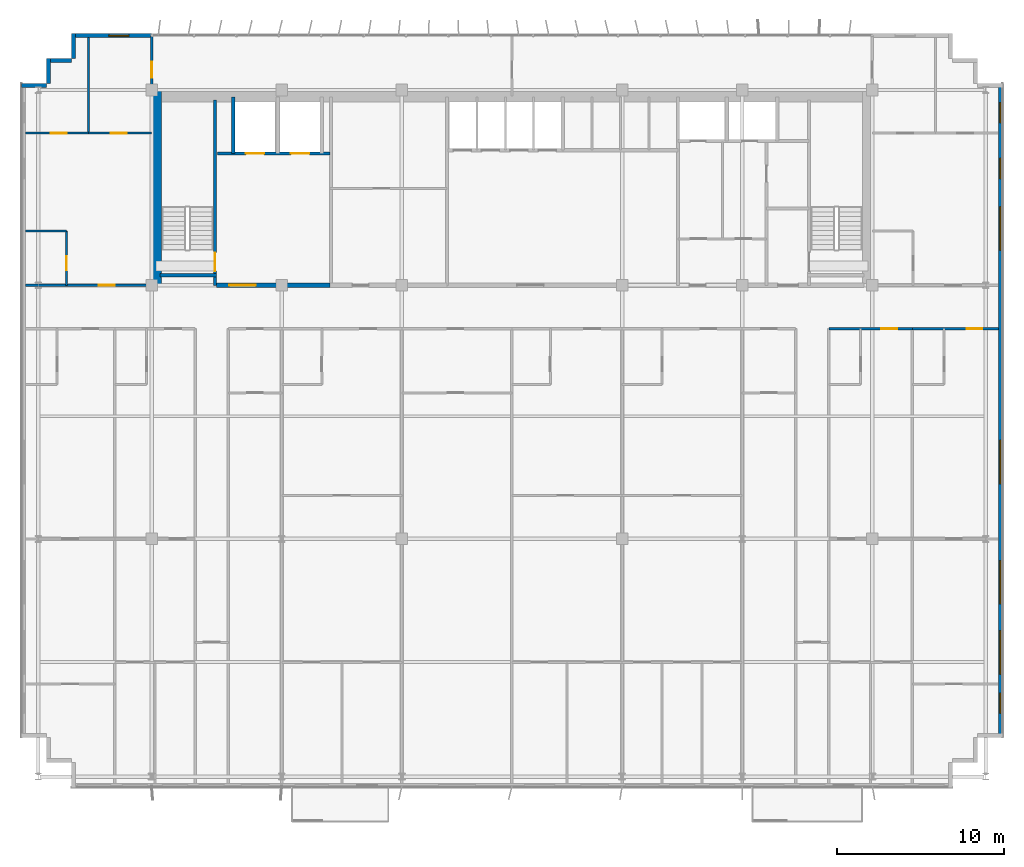
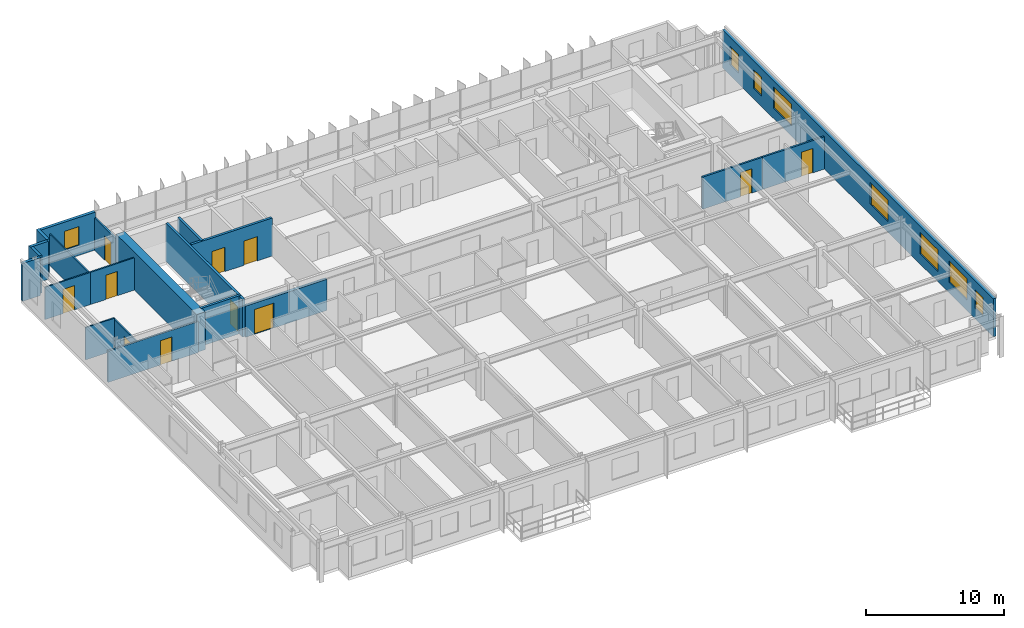
# One storey, part 18 of 22: 21 walls, 11 doors, 8 windows, 19 openings.
"""IFC4 building model written with IfcOpenShell, lengths in metres."""

from ifc_helpers import new_model, si_unit, direction, frame, frame_2d, origin, place, context, subcontext, project, spatial, rectangle, extrude, source, transform, mapped, material, layer, layer_set, type_object, element, fill, save


model = new_model("IFC4")

# Units and contexts
model_context = context("Model", 3, precision=1e-05, world=origin(), true_north=direction((0.0, 1.0)))
body_context = subcontext(model_context, "Body", "Model", "MODEL_VIEW")
ifc_project = project(units=[si_unit("LENGTHUNIT", "METRE"), si_unit("AREAUNIT", "SQUARE_METRE"), si_unit("VOLUMEUNIT", "CUBIC_METRE"), si_unit("PLANEANGLEUNIT", "RADIAN"), si_unit("MASSUNIT", "GRAM", prefix="KILO")], contexts=[model_context])

# Site, building, storey
site_placement = place(None, origin())
site = spatial("IfcSite", under=ifc_project, at=site_placement, CompositionType="ELEMENT")
building_placement = place(site_placement, origin())
building = spatial("IfcBuilding", under=site, at=building_placement, Name="Trelvane Seafront Commons", CompositionType="ELEMENT")
storey_placement = place(building_placement, frame((0.0, 0.0, 139.300048828125)))
storey = spatial("IfcBuildingStorey", under=building, at=storey_placement, Name="L36", CompositionType="ELEMENT", Elevation=139.300048828125)

# Wall, opening, window
ifc_material_1 = material(Name="Precast concrete C40/50", Category="concrete")
ifc_layer_1 = layer(ifc_material_1, 0.239990234375, Name="ARCH-WALL-EXT240")
ifc_layer_set_1 = layer_set([ifc_layer_1], Name="Precast concrete C40/50")
wall_type_1 = type_object("IfcWallType", Name="ARCH-WALL-EXT240", PredefinedType="SOLIDWALL", material=ifc_layer_set_1)
wall_1_placement = place(storey_placement, frame((10.89990234375, 48.3701171875, 0.0), z_axis=(0.0, 0.0, 1.0), x_axis=(1.0, 0.0, 0.0)))
wall_1 = element("IfcWall", 1, at=wall_1_placement, inside=storey, type_object=wall_type_1, Name="EW-L36-NW-0695", PredefinedType="SOLIDWALL", context=body_context, shape_type="SweptSolid", body=[
    extrude(rectangle(XDim=4.7001953125, YDim=0.239990234375, at=frame_2d((2.35009765625, 0.0))), origin(), (0.0, 0.0, 1.0), 3.349853515625),
])
opening_1_placement = place(wall_1_placement, frame((2.132080078125, 0.0, 0.89990234375)))
opening_1 = element("IfcOpeningElement", 2, at=opening_1_placement, cuts=wall_1, Name="Opening W05", PredefinedType="OPENING", context=body_context, shape_type="SweptSolid", body=[
    extrude(rectangle(XDim=1.199951171875, YDim=1.64990234375, at=frame_2d((0.60009765625, 0.824951171875))), frame((0.0, 0.1298828125, 0.0), z_axis=(0.0, -1.0, 0.0), x_axis=(1.0, 0.0, 0.0)), (0.0, 0.0, 1.0), 0.260009765625),
])
ifc_material_2 = material(Name="Low-E coastal double glazing", Category="glass")
window_type_1 = type_object("IfcWindowType", Name="ARCH-WIN-W05", PartitioningType="SINGLE_PANEL", PredefinedType="WINDOW", material=ifc_material_2)
shared_shape_1 = source(origin(), body_context, "Body", "SweptSolid", [
    extrude(rectangle(XDim=1.199951171875, YDim=1.64990234375, at=frame_2d((0.60009765625, 0.824951171875))), frame((0.0, 0.030029296875, 0.0), z_axis=(0.0, -1.0, 0.0), x_axis=(1.0, 0.0, 0.0)), (0.0, 0.0, 1.0), 0.06005859375),
])
window_1_placement = place(opening_1_placement, origin())
window_1 = element("IfcWindow", 3, at=window_1_placement, inside=storey, type_object=window_type_1, Name="WIN-L36-00819", OverallHeight=1.64990234375, OverallWidth=1.199951171875, PartitioningType="SINGLE_PANEL", PredefinedType="WINDOW", context=body_context, shape_type="MappedRepresentation", body=[
    mapped(shared_shape_1, transform((0.0, 0.0, 0.0), x_axis=(1.0, 0.0, 0.0), y_axis=(0.0, 1.0, 0.0), z_axis=(0.0, 0.0, 1.0), scale=1.0)),
])
fill(opening_1, window_1)

# Walls
for number, where, z_axis, x_axis, name in (
    (4, (7.800048828125, 45.3798828125, 0.0), (0.0, 0.0, 1.0), (1.0, 0.0, 0.0), "EW-L36-00701"),
    (5, (9.419921875, 45.5, 0.0), (0.0, 0.0, 1.0), (0.0, 1.0, 0.0), "EW-L36-00702"),
    (6, (9.300048828125, 46.8798828125, 0.0), (0.0, 0.0, 1.0), (1.0, 0.0, 0.0), "EW-L36-00703"),
    (7, (10.919921875, 47.0, 0.0), (0.0, 0.0, 1.0), (0.0, 1.0, 0.0), "EW-L36-00704"),
):
    element("IfcWall", number, at=place(storey_placement, frame(where, z_axis=z_axis, x_axis=x_axis)), inside=storey, type_object=wall_type_1, Name=name, PredefinedType="SOLIDWALL", context=body_context, shape_type="SweptSolid", body=[
        extrude(rectangle(XDim=1.5, YDim=0.239990234375, at=frame_2d((0.75, 0.0))), origin(), (0.0, 0.0, 1.0), 3.349853515625),
    ])

# Wall, openings, windows
wall_2_placement = place(storey_placement, frame((66.47998046875, 45.5, 0.0), z_axis=(0.0, 0.0, 1.0), x_axis=(0.0, -1.0, 0.0)))
wall_2 = element("IfcWall", 8, at=wall_2_placement, inside=storey, type_object=wall_type_1, Name="EW-L36-00709", PredefinedType="SOLIDWALL", context=body_context, shape_type="SweptSolid", body=[
    extrude(rectangle(XDim=39.199951171875, YDim=0.239990234375, at=frame_2d((19.60009765625, 0.0))), origin(), (0.0, 0.0, 1.0), 3.349853515625),
])
opening_2_placement = place(wall_2_placement, frame((36.550048828125, 0.0, 0.919921875)))
opening_2 = element("IfcOpeningElement", 9, at=opening_2_placement, cuts=wall_2, Name="Opening W05", PredefinedType="OPENING", context=body_context, shape_type="SweptSolid", body=[
    extrude(rectangle(XDim=1.199951171875, YDim=1.64990234375, at=frame_2d((0.60009765625, 0.824951171875))), frame((0.0, 0.1298828125, 0.0), z_axis=(0.0, -1.0, 0.0), x_axis=(1.0, 0.0, 0.0)), (0.0, 0.0, 1.0), 0.260009765625),
])
opening_3_placement = place(wall_2_placement, frame((32.800048828125, 0.0, 0.919921875)))
opening_3 = element("IfcOpeningElement", 10, at=opening_3_placement, cuts=wall_2, Name="Opening W04", PredefinedType="OPENING", context=body_context, shape_type="SweptSolid", body=[
    extrude(rectangle(XDim=2.60009765625, YDim=1.89990234375, at=frame_2d((1.300048828125, 0.949951171875))), frame((0.0, 0.1298828125, 0.0), z_axis=(0.0, -1.0, 0.0), x_axis=(1.0, 0.0, 0.0)), (0.0, 0.0, 1.0), 0.260009765625),
])
opening_4_placement = place(wall_2_placement, frame((28.60009765625, 0.0, 0.919921875)))
opening_4 = element("IfcOpeningElement", 11, at=opening_4_placement, cuts=wall_2, Name="Opening W04", PredefinedType="OPENING", context=body_context, shape_type="SweptSolid", body=[
    extrude(rectangle(XDim=2.60009765625, YDim=1.89990234375, at=frame_2d((1.300048828125, 0.949951171875))), frame((0.0, 0.1298828125, 0.0), z_axis=(0.0, -1.0, 0.0), x_axis=(1.0, 0.0, 0.0)), (0.0, 0.0, 1.0), 0.260009765625),
])
opening_5_placement = place(wall_2_placement, frame((21.39990234375, 0.0, 0.919921875)))
opening_5 = element("IfcOpeningElement", 12, at=opening_5_placement, cuts=wall_2, Name="Opening W04", PredefinedType="OPENING", context=body_context, shape_type="SweptSolid", body=[
    extrude(rectangle(XDim=2.60009765625, YDim=1.89990234375, at=frame_2d((1.300048828125, 0.949951171875))), frame((0.0, 0.1298828125, 0.0), z_axis=(0.0, -1.0, 0.0), x_axis=(1.0, 0.0, 0.0)), (0.0, 0.0, 1.0), 0.260009765625),
])
opening_6_placement = place(wall_2_placement, frame((7.39990234375, 0.0, 0.919921875)))
opening_6 = element("IfcOpeningElement", 13, at=opening_6_placement, cuts=wall_2, Name="Opening W04", PredefinedType="OPENING", context=body_context, shape_type="SweptSolid", body=[
    extrude(rectangle(XDim=2.60009765625, YDim=1.89990234375, at=frame_2d((1.300048828125, 0.949951171875))), frame((0.0, 0.1298828125, 0.0), z_axis=(0.0, -1.0, 0.0), x_axis=(1.0, 0.0, 0.0)), (0.0, 0.0, 1.0), 0.260009765625),
])
opening_7_placement = place(wall_2_placement, frame((4.5, 0.0, 0.919921875)))
opening_7 = element("IfcOpeningElement", 14, at=opening_7_placement, cuts=wall_2, Name="Opening W05", PredefinedType="OPENING", context=body_context, shape_type="SweptSolid", body=[
    extrude(rectangle(XDim=1.199951171875, YDim=1.64990234375, at=frame_2d((0.60009765625, 0.824951171875))), frame((0.0, 0.1298828125, 0.0), z_axis=(0.0, -1.0, 0.0), x_axis=(1.0, 0.0, 0.0)), (0.0, 0.0, 1.0), 0.260009765625),
])
opening_8_placement = place(wall_2_placement, frame((1.14990234375, 0.0, 0.919921875)))
opening_8 = element("IfcOpeningElement", 15, at=opening_8_placement, cuts=wall_2, Name="Opening W05", PredefinedType="OPENING", context=body_context, shape_type="SweptSolid", body=[
    extrude(rectangle(XDim=1.199951171875, YDim=1.64990234375, at=frame_2d((0.60009765625, 0.824951171875))), frame((0.0, 0.1298828125, 0.0), z_axis=(0.0, -1.0, 0.0), x_axis=(1.0, 0.0, 0.0)), (0.0, 0.0, 1.0), 0.260009765625),
])
window_type_2 = type_object("IfcWindowType", Name="ARCH-WIN-W04", PartitioningType="SINGLE_PANEL", PredefinedType="WINDOW", material=ifc_material_2)
shared_shape_2 = source(origin(), body_context, "Body", "SweptSolid", [
    extrude(rectangle(XDim=2.60009765625, YDim=1.89990234375, at=frame_2d((1.300048828125, 0.949951171875))), frame((0.0, 0.030029296875, 0.0), z_axis=(0.0, -1.0, 0.0), x_axis=(1.0, 0.0, 0.0)), (0.0, 0.0, 1.0), 0.06005859375),
])
window_2_placement = place(opening_3_placement, origin())
window_2 = element("IfcWindow", 16, at=window_2_placement, inside=storey, type_object=window_type_2, Name="WIN-L36-EW-00828", OverallHeight=1.89990234375, OverallWidth=2.60009765625, PartitioningType="SINGLE_PANEL", PredefinedType="WINDOW", context=body_context, shape_type="MappedRepresentation", body=[
    mapped(shared_shape_2, transform((0.0, 0.0, 0.0), x_axis=(1.0, 0.0, 0.0), y_axis=(0.0, 1.0, 0.0), z_axis=(0.0, 0.0, 1.0), scale=1.0)),
])
fill(opening_3, window_2)
window_3_placement = place(opening_4_placement, origin())
window_3 = element("IfcWindow", 17, at=window_3_placement, inside=storey, type_object=window_type_2, Name="WIN-L36-EW-00829", OverallHeight=1.89990234375, OverallWidth=2.60009765625, PartitioningType="SINGLE_PANEL", PredefinedType="WINDOW", context=body_context, shape_type="MappedRepresentation", body=[
    mapped(shared_shape_2, transform((0.0, 0.0, 0.0), x_axis=(1.0, 0.0, 0.0), y_axis=(0.0, 1.0, 0.0), z_axis=(0.0, 0.0, 1.0), scale=1.0)),
])
fill(opening_4, window_3)
window_4_placement = place(opening_5_placement, origin())
window_4 = element("IfcWindow", 18, at=window_4_placement, inside=storey, type_object=window_type_2, Name="WIN-L36-EW-00830", OverallHeight=1.89990234375, OverallWidth=2.60009765625, PartitioningType="SINGLE_PANEL", PredefinedType="WINDOW", context=body_context, shape_type="MappedRepresentation", body=[
    mapped(shared_shape_2, transform((0.0, 0.0, 0.0), x_axis=(1.0, 0.0, 0.0), y_axis=(0.0, 1.0, 0.0), z_axis=(0.0, 0.0, 1.0), scale=1.0)),
])
fill(opening_5, window_4)
window_5_placement = place(opening_6_placement, origin())
window_5 = element("IfcWindow", 19, at=window_5_placement, inside=storey, type_object=window_type_2, Name="WIN-L36-EW-00831", OverallHeight=1.89990234375, OverallWidth=2.60009765625, PartitioningType="SINGLE_PANEL", PredefinedType="WINDOW", context=body_context, shape_type="MappedRepresentation", body=[
    mapped(shared_shape_2, transform((0.0, 0.0, 0.0), x_axis=(1.0, 0.0, 0.0), y_axis=(0.0, 1.0, 0.0), z_axis=(0.0, 0.0, 1.0), scale=1.0)),
])
fill(opening_6, window_5)
window_6_placement = place(opening_2_placement, origin())
window_6 = element("IfcWindow", 20, at=window_6_placement, inside=storey, type_object=window_type_1, Name="WIN-L36-EW-00827", OverallHeight=1.64990234375, OverallWidth=1.199951171875, PartitioningType="SINGLE_PANEL", PredefinedType="WINDOW", context=body_context, shape_type="MappedRepresentation", body=[
    mapped(shared_shape_1, transform((0.0, 0.0, 0.0), x_axis=(1.0, 0.0, 0.0), y_axis=(0.0, 1.0, 0.0), z_axis=(0.0, 0.0, 1.0), scale=1.0)),
])
fill(opening_2, window_6)
window_7_placement = place(opening_7_placement, origin())
window_7 = element("IfcWindow", 21, at=window_7_placement, inside=storey, type_object=window_type_1, Name="WIN-L36-EW-00832", OverallHeight=1.64990234375, OverallWidth=1.199951171875, PartitioningType="SINGLE_PANEL", PredefinedType="WINDOW", context=body_context, shape_type="MappedRepresentation", body=[
    mapped(shared_shape_1, transform((0.0, 0.0, 0.0), x_axis=(1.0, 0.0, 0.0), y_axis=(0.0, 1.0, 0.0), z_axis=(0.0, 0.0, 1.0), scale=1.0)),
])
fill(opening_7, window_7)
window_8_placement = place(opening_8_placement, origin())
window_8 = element("IfcWindow", 22, at=window_8_placement, inside=storey, type_object=window_type_1, Name="WIN-L36-EW-00833", OverallHeight=1.64990234375, OverallWidth=1.199951171875, PartitioningType="SINGLE_PANEL", PredefinedType="WINDOW", context=body_context, shape_type="MappedRepresentation", body=[
    mapped(shared_shape_1, transform((0.0, 0.0, 0.0), x_axis=(1.0, 0.0, 0.0), y_axis=(0.0, 1.0, 0.0), z_axis=(0.0, 0.0, 1.0), scale=1.0)),
])
fill(opening_8, window_8)

# Wall, opening, door
ifc_material_3 = material(Name="Concrete C40/50", Category="concrete")
ifc_layer_2 = layer(ifc_material_3, 0.25, Name="ARCH-WALL-FIRE250")
ifc_layer_set_2 = layer_set([ifc_layer_2], Name="Concrete C40/50")
wall_type_2 = type_object("IfcWallType", Name="ARCH-WALL-FIRE250", PredefinedType="PARTITIONING", material=ifc_layer_set_2)
wall_3_placement = place(storey_placement, frame((19.5, 33.39990234375, 0.0), z_axis=(0.0, 0.0, 1.0), x_axis=(1.0, 0.0, 0.0)))
wall_3 = element("IfcWall", 23, at=wall_3_placement, inside=storey, type_object=wall_type_2, Name="W-L36-CS-FFL-013", PredefinedType="PARTITIONING", context=body_context, shape_type="SweptSolid", body=[
    extrude(rectangle(XDim=6.800048828125, YDim=0.25, at=frame_2d((3.39990234375, 0.0))), origin(), (0.0, 0.0, 1.0), 2.75),
])
opening_9_placement = place(wall_3_placement, frame((0.75, 0.0, 0.0)))
opening_9 = element("IfcOpeningElement", 24, at=opening_9_placement, cuts=wall_3, Name="Opening FD-L36-05", PredefinedType="OPENING", context=body_context, shape_type="SweptSolid", body=[
    extrude(rectangle(XDim=1.60009765625, YDim=2.199951171875, at=frame_2d((0.800048828125, 1.10009765625))), frame((0.0, 0.135009765625, 0.0), z_axis=(0.0, -1.0, 0.0), x_axis=(1.0, 0.0, 0.0)), (0.0, 0.0, 1.0), 0.27001953125),
])
ifc_material_4 = material(Name="Powder-coated aluminium frame", Category="aluminium")
door_type_1 = type_object("IfcDoorType", Name="ARCH-DR-FD60-1600", OperationType="DOUBLE_DOOR_SINGLE_SWING", PredefinedType="DOOR", material=ifc_material_4)
shared_shape_3 = source(origin(), body_context, "Body", "SweptSolid", [
    extrude(rectangle(XDim=1.60009765625, YDim=2.199951171875, at=frame_2d((0.800048828125, 1.10009765625))), frame((0.0, 0.02490234375, 0.0), z_axis=(0.0, -1.0, 0.0), x_axis=(1.0, 0.0, 0.0)), (0.0, 0.0, 1.0), 0.050048828125),
])
door_1_placement = place(opening_9_placement, origin())
door_1 = element("IfcDoor", 25, at=door_1_placement, inside=storey, type_object=door_type_1, Name="L36 Firefighting Lift Lobby Double Fire Door", OperationType="DOUBLE_DOOR_SINGLE_SWING", OverallHeight=2.199951171875, OverallWidth=1.60009765625, PredefinedType="DOOR", context=body_context, shape_type="MappedRepresentation", body=[
    mapped(shared_shape_3, transform((0.0, 0.0, 0.0), x_axis=(1.0, 0.0, 0.0), y_axis=(0.0, 1.0, 0.0), z_axis=(0.0, 0.0, 1.0), scale=1.0)),
])
fill(opening_9, door_1)

ifc_material_5 = material(Name="Gypsum Drywall Acoustic Partition")
ifc_layer_3 = layer(ifc_material_5, 0.1201171875, Name="ARCH-WALL-PART120")
ifc_layer_set_3 = layer_set([ifc_layer_3], Name="Gypsum Drywall Acoustic Partition")
wall_type_3 = type_object("IfcWallType", Name="ARCH-WALL-PART120", PredefinedType="PARTITIONING", material=ifc_layer_set_3)
wall_4_placement = place(storey_placement, frame((10.5, 33.39990234375, 0.0), z_axis=(0.0, 0.0, 1.0), x_axis=(0.0, 1.0, 0.0)))
wall_4 = element("IfcWall", 26, at=wall_4_placement, inside=storey, type_object=wall_type_3, Name="W-L36-NW-BE-036", PredefinedType="PARTITIONING", context=body_context, shape_type="SweptSolid", body=[
    extrude(rectangle(XDim=3.25, YDim=0.1201171875, at=frame_2d((1.625, 0.0))), origin(), (0.0, 0.0, 1.0), 2.75),
])
opening_10_placement = place(wall_4_placement, frame((0.89990234375, 0.0, 0.0)))
opening_10 = element("IfcOpeningElement", 27, at=opening_10_placement, cuts=wall_4, Name="Opening D-L36-20", PredefinedType="OPENING", context=body_context, shape_type="SweptSolid", body=[
    extrude(rectangle(XDim=0.85009765625, YDim=2.10009765625, at=frame_2d((0.425048828125, 1.050048828125))), frame((0.0, 0.070068359375, 0.0), z_axis=(0.0, -1.0, 0.0), x_axis=(1.0, 0.0, 0.0)), (0.0, 0.0, 1.0), 0.14013671875),
])
ifc_material_6 = material(Name="Acoustic timber door leaf", Category="wood")
door_type_2 = type_object("IfcDoorType", Name="ARCH-DR-INT850", OperationType="NOTDEFINED", PredefinedType="DOOR", material=ifc_material_6)
shared_shape_4 = source(origin(), body_context, "Body", "SweptSolid", [
    extrude(rectangle(XDim=0.85009765625, YDim=2.10009765625, at=frame_2d((0.425048828125, 1.050048828125))), frame((0.0, 0.02490234375, 0.0), z_axis=(0.0, -1.0, 0.0), x_axis=(1.0, 0.0, 0.0)), (0.0, 0.0, 1.0), 0.050048828125),
])
door_2_placement = place(opening_10_placement, origin())
door_2 = element("IfcDoor", 28, at=door_2_placement, inside=storey, type_object=door_type_2, Name="L36 Door 20", OperationType="SINGLE_SWING_RIGHT", OverallHeight=2.10009765625, OverallWidth=0.85009765625, PredefinedType="DOOR", context=body_context, shape_type="MappedRepresentation", body=[
    mapped(shared_shape_4, transform((0.0, 0.0, 0.0), x_axis=(1.0, 0.0, 0.0), y_axis=(0.0, 1.0, 0.0), z_axis=(0.0, 0.0, 1.0), scale=1.0)),
])
fill(opening_10, door_2)

# Wall
wall_5_placement = place(storey_placement, frame((8.050048828125, 36.64990234375, 0.0), z_axis=(0.0, 0.0, 1.0), x_axis=(1.0, 0.0, 0.0)))
element("IfcWall", 29, at=wall_5_placement, inside=storey, type_object=wall_type_3, Name="W-L36-NW-BN-037", PredefinedType="PARTITIONING", context=body_context, shape_type="SweptSolid", body=[
    extrude(rectangle(XDim=2.449951171875, YDim=0.1201171875, at=frame_2d((1.22509765625, 0.0))), origin(), (0.0, 0.0, 1.0), 2.849853515625),
])

# Wall, opening, door
wall_6_placement = place(storey_placement, frame((8.050048828125, 42.52001953125, 0.0), z_axis=(0.0, 0.0, 1.0), x_axis=(1.0, 0.0, 0.0)))
wall_6 = element("IfcWall", 30, at=wall_6_placement, inside=storey, type_object=wall_type_3, Name="W-L36-NW-KB1-038", PredefinedType="PARTITIONING", context=body_context, shape_type="SweptSolid", body=[
    extrude(rectangle(XDim=3.77490234375, YDim=0.1201171875, at=frame_2d((1.887451171875, 0.0))), origin(), (0.0, 0.0, 1.0), 2.849853515625),
])
opening_11_placement = place(wall_6_placement, frame((1.506103515625, 0.0, 0.0)))
opening_11 = element("IfcOpeningElement", 31, at=opening_11_placement, cuts=wall_6, Name="Opening D-L36-21", PredefinedType="OPENING", context=body_context, shape_type="SweptSolid", body=[
    extrude(rectangle(XDim=0.949951171875, YDim=2.14990234375, at=frame_2d((0.47509765625, 1.074951171875))), frame((0.0, 0.070068359375, 0.0), z_axis=(0.0, -1.0, 0.0), x_axis=(1.0, 0.0, 0.0)), (0.0, 0.0, 1.0), 0.14013671875),
])
door_type_3 = type_object("IfcDoorType", Name="ARCH-DR-INT950", OperationType="NOTDEFINED", PredefinedType="DOOR", material=ifc_material_6)
shared_shape_5 = source(origin(), body_context, "Body", "SweptSolid", [
    extrude(rectangle(XDim=0.949951171875, YDim=2.14990234375, at=frame_2d((0.47509765625, 1.074951171875))), frame((0.0, 0.02490234375, 0.0), z_axis=(0.0, -1.0, 0.0), x_axis=(1.0, 0.0, 0.0)), (0.0, 0.0, 1.0), 0.050048828125),
])
door_3_placement = place(opening_11_placement, origin())
door_3 = element("IfcDoor", 32, at=door_3_placement, inside=storey, type_object=door_type_3, Name="L36 Door 21", OperationType="SINGLE_SWING_LEFT", OverallHeight=2.14990234375, OverallWidth=0.949951171875, PredefinedType="DOOR", context=body_context, shape_type="MappedRepresentation", body=[
    mapped(shared_shape_5, transform((0.0, 0.0, 0.0), x_axis=(1.0, 0.0, 0.0), y_axis=(0.0, 1.0, 0.0), z_axis=(0.0, 0.0, 1.0), scale=1.0)),
])
fill(opening_11, door_3)

wall_7_placement = place(storey_placement, frame((11.824951171875, 42.52001953125, 0.0), z_axis=(0.0, 0.0, 1.0), x_axis=(1.0, 0.0, 0.0)))
wall_7 = element("IfcWall", 33, at=wall_7_placement, inside=storey, type_object=wall_type_3, Name="W-L36-NW-KB2-039", PredefinedType="PARTITIONING", context=body_context, shape_type="SweptSolid", body=[
    extrude(rectangle(XDim=3.775146484375, YDim=0.1201171875, at=frame_2d((1.8876953125, 0.0))), origin(), (0.0, 0.0, 1.0), 2.849853515625),
])
opening_12_placement = place(wall_7_placement, frame((1.319091796875, 0.0, 0.0)))
opening_12 = element("IfcOpeningElement", 34, at=opening_12_placement, cuts=wall_7, Name="Opening D-L36-22", PredefinedType="OPENING", context=body_context, shape_type="SweptSolid", body=[
    extrude(rectangle(XDim=0.949951171875, YDim=2.14990234375, at=frame_2d((0.47509765625, 1.074951171875))), frame((0.0, 0.070068359375, 0.0), z_axis=(0.0, -1.0, 0.0), x_axis=(1.0, 0.0, 0.0)), (0.0, 0.0, 1.0), 0.14013671875),
])
door_4_placement = place(opening_12_placement, origin())
door_4 = element("IfcDoor", 35, at=door_4_placement, inside=storey, type_object=door_type_3, Name="L36 Door 22", OperationType="SINGLE_SWING_RIGHT", OverallHeight=2.14990234375, OverallWidth=0.949951171875, PredefinedType="DOOR", context=body_context, shape_type="MappedRepresentation", body=[
    mapped(shared_shape_5, transform((0.0, 0.0, 0.0), x_axis=(1.0, 0.0, 0.0), y_axis=(0.0, 1.0, 0.0), z_axis=(0.0, 0.0, 1.0), scale=1.0)),
])
fill(opening_12, door_4)

# Wall
wall_8_placement = place(storey_placement, frame((11.824951171875, 42.52001953125, 0.0), z_axis=(0.0, 0.0, 1.0), x_axis=(0.0, 1.0, 0.0)))
element("IfcWall", 36, at=wall_8_placement, inside=storey, type_object=wall_type_3, Name="W-L36-NW-KBDV-040", PredefinedType="PARTITIONING", context=body_context, shape_type="SweptSolid", body=[
    extrude(rectangle(XDim=5.739990234375, YDim=0.1201171875, at=frame_2d((2.8701171875, 0.0))), origin(), (0.0, 0.0, 1.0), 2.75),
])

# Wall, opening, door
ifc_layer_4 = layer(ifc_material_5, 0.14990234375, Name="ARCH-WALL-PART150")
ifc_layer_set_4 = layer_set([ifc_layer_4], Name="Gypsum Drywall Acoustic Partition")
wall_type_4 = type_object("IfcWallType", Name="ARCH-WALL-PART150", PredefinedType="PARTITIONING", material=ifc_layer_set_4)
wall_9_placement = place(storey_placement, frame((8.050048828125, 33.39990234375, 0.0), z_axis=(0.0, 0.0, 1.0), x_axis=(1.0, 0.0, 0.0)))
wall_9 = element("IfcWall", 37, at=wall_9_placement, inside=storey, type_object=wall_type_4, Name="W-L36-NW-ENT-041", PredefinedType="PARTITIONING", context=body_context, shape_type="SweptSolid", body=[
    extrude(rectangle(XDim=7.550048828125, YDim=0.14990234375, at=frame_2d((3.77490234375, 0.0))), origin(), (0.0, 0.0, 1.0), 2.75),
])
opening_13_placement = place(wall_9_placement, frame((4.375, 0.0, 0.0)))
opening_13 = element("IfcOpeningElement", 38, at=opening_13_placement, cuts=wall_9, Name="Opening FD-L36-23", PredefinedType="OPENING", context=body_context, shape_type="SweptSolid", body=[
    extrude(rectangle(XDim=0.949951171875, YDim=2.14990234375, at=frame_2d((0.47509765625, 1.074951171875))), frame((0.0, 0.0849609375, 0.0), z_axis=(0.0, -1.0, 0.0), x_axis=(1.0, 0.0, 0.0)), (0.0, 0.0, 1.0), 0.169921875),
])
door_type_4 = type_object("IfcDoorType", Name="ARCH-DR-FD60-950", OperationType="NOTDEFINED", PredefinedType="DOOR", material=ifc_material_4)
door_5_placement = place(opening_13_placement, origin())
door_5 = element("IfcDoor", 39, at=door_5_placement, inside=storey, type_object=door_type_4, Name="L36 NW Flat Entrance Door", OperationType="SINGLE_SWING_LEFT", OverallHeight=2.14990234375, OverallWidth=0.949951171875, PredefinedType="DOOR", context=body_context, shape_type="MappedRepresentation", body=[
    mapped(shared_shape_5, transform((0.0, 0.0, 0.0), x_axis=(1.0, 0.0, 0.0), y_axis=(0.0, 1.0, 0.0), z_axis=(0.0, 0.0, 1.0), scale=1.0)),
])
fill(opening_13, door_5)

wall_10_placement = place(storey_placement, frame((15.60009765625, 44.75, 0.0), z_axis=(0.0, 0.0, 1.0), x_axis=(0.0, 1.0, 0.0)))
wall_10 = element("IfcWall", 40, at=wall_10_placement, inside=storey, type_object=wall_type_4, Name="W-L36-N-LINK-W-049", PredefinedType="PARTITIONING", context=body_context, shape_type="SweptSolid", body=[
    extrude(rectangle(XDim=3.610107421875, YDim=0.14990234375, at=frame_2d((1.80517578125, 0.0))), origin(), (0.0, 0.0, 1.0), 2.849853515625),
])
opening_14_placement = place(wall_10_placement, frame((1.10009765625, 0.0, 0.0)))
opening_14 = element("IfcOpeningElement", 41, at=opening_14_placement, cuts=wall_10, Name="Opening FD-L36-29", PredefinedType="OPENING", context=body_context, shape_type="SweptSolid", body=[
    extrude(rectangle(XDim=0.949951171875, YDim=2.14990234375, at=frame_2d((0.47509765625, 1.074951171875))), frame((0.0, 0.0849609375, 0.0), z_axis=(0.0, -1.0, 0.0), x_axis=(1.0, 0.0, 0.0)), (0.0, 0.0, 1.0), 0.169921875),
])
door_6_placement = place(opening_14_placement, origin())
door_6 = element("IfcDoor", 42, at=door_6_placement, inside=storey, type_object=door_type_4, Name="L36 Door 29", OperationType="SINGLE_SWING_LEFT", OverallHeight=2.14990234375, OverallWidth=0.949951171875, PredefinedType="DOOR", context=body_context, shape_type="MappedRepresentation", body=[
    mapped(shared_shape_5, transform((0.0, 0.0, 0.0), x_axis=(1.0, 0.0, 0.0), y_axis=(0.0, 1.0, 0.0), z_axis=(0.0, 0.0, 1.0), scale=1.0)),
])
fill(opening_14, door_6)

wall_11_placement = place(storey_placement, frame((56.199951171875, 30.800048828125, 0.0), z_axis=(0.0, 0.0, 1.0), x_axis=(1.0, 0.0, 0.0)))
wall_11 = element("IfcWall", 43, at=wall_11_placement, inside=storey, type_object=wall_type_4, Name="W-L36-CS-BAY-11-108", PredefinedType="PARTITIONING", context=body_context, shape_type="SweptSolid", body=[
    extrude(rectangle(XDim=5.0, YDim=0.14990234375, at=frame_2d((2.5, 0.0))), origin(), (0.0, 0.0, 1.0), 2.849853515625),
])
opening_15_placement = place(wall_11_placement, frame((3.14404296875, 0.0, 0.0)))
opening_15 = element("IfcOpeningElement", 44, at=opening_15_placement, cuts=wall_11, Name="Opening FD-L36-66", PredefinedType="OPENING", context=body_context, shape_type="SweptSolid", body=[
    extrude(rectangle(XDim=0.949951171875, YDim=2.14990234375, at=frame_2d((0.47509765625, 1.074951171875))), frame((0.0, 0.0849609375, 0.0), z_axis=(0.0, -1.0, 0.0), x_axis=(1.0, 0.0, 0.0)), (0.0, 0.0, 1.0), 0.169921875),
])
door_7_placement = place(opening_15_placement, origin())
door_7 = element("IfcDoor", 45, at=door_7_placement, inside=storey, type_object=door_type_4, Name="L36 Unit 11 Entrance Door", OperationType="SINGLE_SWING_RIGHT", OverallHeight=2.14990234375, OverallWidth=0.949951171875, PredefinedType="DOOR", context=body_context, shape_type="MappedRepresentation", body=[
    mapped(shared_shape_5, transform((0.0, 0.0, 0.0), x_axis=(1.0, 0.0, 0.0), y_axis=(0.0, 1.0, 0.0), z_axis=(0.0, 0.0, 1.0), scale=1.0)),
])
fill(opening_15, door_7)

wall_12_placement = place(storey_placement, frame((61.199951171875, 30.800048828125, 0.0), z_axis=(0.0, 0.0, 1.0), x_axis=(1.0, 0.0, 0.0)))
wall_12 = element("IfcWall", 46, at=wall_12_placement, inside=storey, type_object=wall_type_4, Name="W-L36-CS-BAY-12-115", PredefinedType="PARTITIONING", context=body_context, shape_type="SweptSolid", body=[
    extrude(rectangle(XDim=5.175048828125, YDim=0.14990234375, at=frame_2d((2.58740234375, 0.0))), origin(), (0.0, 0.0, 1.0), 2.849853515625),
])
opening_16_placement = place(wall_12_placement, frame((3.243896484375, 0.0, 0.0)))
opening_16 = element("IfcOpeningElement", 47, at=opening_16_placement, cuts=wall_12, Name="Opening FD-L36-71", PredefinedType="OPENING", context=body_context, shape_type="SweptSolid", body=[
    extrude(rectangle(XDim=0.949951171875, YDim=2.14990234375, at=frame_2d((0.47509765625, 1.074951171875))), frame((0.0, 0.0849609375, 0.0), z_axis=(0.0, -1.0, 0.0), x_axis=(1.0, 0.0, 0.0)), (0.0, 0.0, 1.0), 0.169921875),
])
door_8_placement = place(opening_16_placement, origin())
door_8 = element("IfcDoor", 48, at=door_8_placement, inside=storey, type_object=door_type_4, Name="L36 Unit 12 Entrance Door", OperationType="SINGLE_SWING_LEFT", OverallHeight=2.14990234375, OverallWidth=0.949951171875, PredefinedType="DOOR", context=body_context, shape_type="MappedRepresentation", body=[
    mapped(shared_shape_5, transform((0.0, 0.0, 0.0), x_axis=(1.0, 0.0, 0.0), y_axis=(0.0, 1.0, 0.0), z_axis=(0.0, 0.0, 1.0), scale=1.0)),
])
fill(opening_16, door_8)

# Wall, openings, doors
ifc_layer_5 = layer(ifc_material_3, 0.199951171875, Name="ARCH-WALL-SHAFT200")
ifc_layer_set_5 = layer_set([ifc_layer_5], Name="Concrete C40/50")
wall_type_5 = type_object("IfcWallType", Name="ARCH-WALL-SHAFT200", PredefinedType="SOLIDWALL", material=ifc_layer_set_5)
wall_13_placement = place(storey_placement, frame((19.550048828125, 41.300048828125, 0.0), z_axis=(0.0, 0.0, 1.0), x_axis=(1.0, 0.0, 0.0)))
wall_13 = element("IfcWall", 49, at=wall_13_placement, inside=storey, type_object=wall_type_5, Name="W-L36-FFL-FRONT-008", PredefinedType="SOLIDWALL", context=body_context, shape_type="SweptSolid", body=[
    extrude(rectangle(XDim=6.75, YDim=0.199951171875, at=frame_2d((3.375, 0.0))), origin(), (0.0, 0.0, 1.0), 3.349853515625),
])
opening_17_placement = place(wall_13_placement, frame((1.699951171875, 0.0, 0.0)))
opening_17 = element("IfcOpeningElement", 50, at=opening_17_placement, cuts=wall_13, Name="Opening LD-FF1-L36", PredefinedType="OPENING", context=body_context, shape_type="SweptSolid", body=[
    extrude(rectangle(XDim=1.10009765625, YDim=2.14990234375, at=frame_2d((0.550048828125, 1.074951171875))), frame((0.0, 0.10986328125, 0.0), z_axis=(0.0, -1.0, 0.0), x_axis=(1.0, 0.0, 0.0)), (0.0, 0.0, 1.0), 0.219970703125),
])
opening_18_placement = place(wall_13_placement, frame((4.39990234375, 0.0, 0.0)))
opening_18 = element("IfcOpeningElement", 51, at=opening_18_placement, cuts=wall_13, Name="Opening LD-FF2-L36", PredefinedType="OPENING", context=body_context, shape_type="SweptSolid", body=[
    extrude(rectangle(XDim=1.10009765625, YDim=2.14990234375, at=frame_2d((0.550048828125, 1.074951171875))), frame((0.0, 0.10986328125, 0.0), z_axis=(0.0, -1.0, 0.0), x_axis=(1.0, 0.0, 0.0)), (0.0, 0.0, 1.0), 0.219970703125),
])
ifc_material_7 = material(Name="Stainless steel balustrade", Category="steel")
door_type_5 = type_object("IfcDoorType", Name="ARCH-DR-LD1100", OperationType="DOUBLE_DOOR_SLIDING", PredefinedType="DOOR", material=ifc_material_7)
shared_shape_6 = source(origin(), body_context, "Body", "SweptSolid", [
    extrude(rectangle(XDim=1.10009765625, YDim=2.14990234375, at=frame_2d((0.550048828125, 1.074951171875))), frame((0.0, 0.02490234375, 0.0), z_axis=(0.0, -1.0, 0.0), x_axis=(1.0, 0.0, 0.0)), (0.0, 0.0, 1.0), 0.050048828125),
])
door_9_placement = place(opening_17_placement, origin())
door_9 = element("IfcDoor", 52, at=door_9_placement, inside=storey, type_object=door_type_5, Name="L36 Firefighting Lift FFL-1 Landing Door", OperationType="DOUBLE_DOOR_SLIDING", OverallHeight=2.14990234375, OverallWidth=1.10009765625, PredefinedType="DOOR", context=body_context, shape_type="MappedRepresentation", body=[
    mapped(shared_shape_6, transform((0.0, 0.0, 0.0), x_axis=(1.0, 0.0, 0.0), y_axis=(0.0, 1.0, 0.0), z_axis=(0.0, 0.0, 1.0), scale=1.0)),
])
fill(opening_17, door_9)
door_10_placement = place(opening_18_placement, origin())
door_10 = element("IfcDoor", 53, at=door_10_placement, inside=storey, type_object=door_type_5, Name="L36 Firefighting Lift FFL-2 Landing Door", OperationType="DOUBLE_DOOR_SLIDING", OverallHeight=2.14990234375, OverallWidth=1.10009765625, PredefinedType="DOOR", context=body_context, shape_type="MappedRepresentation", body=[
    mapped(shared_shape_6, transform((0.0, 0.0, 0.0), x_axis=(1.0, 0.0, 0.0), y_axis=(0.0, 1.0, 0.0), z_axis=(0.0, 0.0, 1.0), scale=1.0)),
])
fill(opening_18, door_10)

# Walls
wall_14_placement = place(storey_placement, frame((20.5, 41.300048828125, 0.0), z_axis=(0.0, 0.0, 1.0), x_axis=(0.0, 1.0, 0.0)))
element("IfcWall", 54, at=wall_14_placement, inside=storey, type_object=wall_type_5, Name="W-L36-FFL-SH-W-009", PredefinedType="SOLIDWALL", context=body_context, shape_type="SweptSolid", body=[
    extrude(rectangle(XDim=3.39990234375, YDim=0.199951171875, at=frame_2d((1.699951171875, 0.0))), origin(), (0.0, 0.0, 1.0), 3.349853515625),
])
ifc_material_8 = material(Name="Concrete C60/75", Category="concrete")
ifc_layer_6 = layer(ifc_material_8, 0.699951171875, Name="STR-WALL-CORE700")
ifc_layer_set_6 = layer_set([ifc_layer_6], Name="Concrete C60/75")
wall_type_6 = type_object("IfcWallType", Name="STR-WALL-CORE700", PredefinedType="SHEAR", material=ifc_layer_set_6)
wall_15_placement = place(storey_placement, frame((15.85009765625, 33.39990234375, 0.0), z_axis=(0.0, 0.0, 1.0), x_axis=(0.0, 1.0, 0.0)))
element("IfcWall", 55, at=wall_15_placement, inside=storey, type_object=wall_type_6, Name="W-L36-CW-END-002", PredefinedType="SHEAR", context=body_context, shape_type="SweptSolid", body=[
    extrude(rectangle(XDim=11.7001953125, YDim=0.699951171875, at=frame_2d((5.85009765625, 0.0))), origin(), (0.0, 0.0, 1.0), 3.349853515625),
])
ifc_material_9 = material(Name="Concrete C50/60", Category="concrete")
ifc_layer_7 = layer(ifc_material_9, 0.199951171875, Name="STR-WALL-STAIR200")
ifc_layer_set_7 = layer_set([ifc_layer_7], Name="Concrete C50/60")
wall_type_7 = type_object("IfcWallType", Name="STR-WALL-STAIR200", PredefinedType="SHEAR", material=ifc_layer_set_7)
wall_16_placement = place(storey_placement, frame((16.10009765625, 34.0, 0.0), z_axis=(0.0, 0.0, 1.0), x_axis=(1.0, 0.0, 0.0)))
element("IfcWall", 56, at=wall_16_placement, inside=storey, type_object=wall_type_7, Name="W-L36-ST1-S-004", PredefinedType="SHEAR", context=body_context, shape_type="SweptSolid", body=[
    extrude(rectangle(XDim=3.39990234375, YDim=0.199951171875, at=frame_2d((1.699951171875, 0.0))), origin(), (0.0, 0.0, 1.0), 3.349853515625),
])

# Wall, opening, door
wall_17_placement = place(storey_placement, frame((19.39990234375, 33.39990234375, 0.0), z_axis=(0.0, 0.0, 1.0), x_axis=(0.0, 1.0, 0.0)))
wall_17 = element("IfcWall", 57, at=wall_17_placement, inside=storey, type_object=wall_type_7, Name="W-L36-ST1-E-005", PredefinedType="SHEAR", context=body_context, shape_type="SweptSolid", body=[
    extrude(rectangle(XDim=11.10009765625, YDim=0.199951171875, at=frame_2d((5.550048828125, 0.0))), origin(), (0.0, 0.0, 1.0), 3.349853515625),
])
opening_19_placement = place(wall_17_placement, frame((0.85009765625, 0.0, 0.0)))
opening_19 = element("IfcOpeningElement", 58, at=opening_19_placement, cuts=wall_17, Name="Opening ST-D1-L36", PredefinedType="OPENING", context=body_context, shape_type="SweptSolid", body=[
    extrude(rectangle(XDim=1.10009765625, YDim=2.14990234375, at=frame_2d((0.550048828125, 1.074951171875))), frame((0.0, 0.10986328125, 0.0), z_axis=(0.0, -1.0, 0.0), x_axis=(1.0, 0.0, 0.0)), (0.0, 0.0, 1.0), 0.219970703125),
])
door_type_6 = type_object("IfcDoorType", Name="ARCH-DR-FD90-1100", OperationType="NOTDEFINED", PredefinedType="DOOR", material=ifc_material_4)
door_11_placement = place(opening_19_placement, origin())
door_11 = element("IfcDoor", 59, at=door_11_placement, inside=storey, type_object=door_type_6, Name="L36 Stair ST-1 Lobby Fire Door", OperationType="SINGLE_SWING_LEFT", OverallHeight=2.14990234375, OverallWidth=1.10009765625, PredefinedType="DOOR", context=body_context, shape_type="MappedRepresentation", body=[
    mapped(shared_shape_6, transform((0.0, 0.0, 0.0), x_axis=(1.0, 0.0, 0.0), y_axis=(0.0, 1.0, 0.0), z_axis=(0.0, 0.0, 1.0), scale=1.0)),
])
fill(opening_19, door_11)

save(model, "model.ifc")
